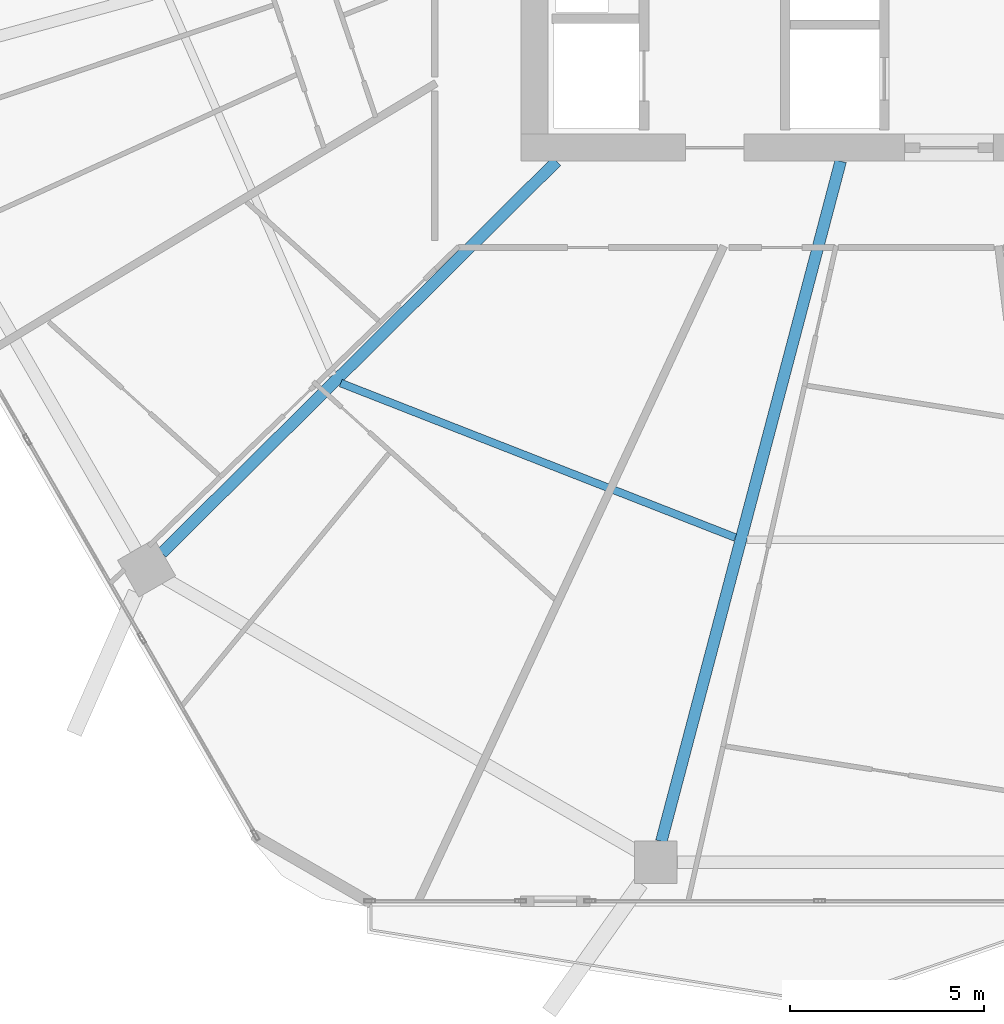
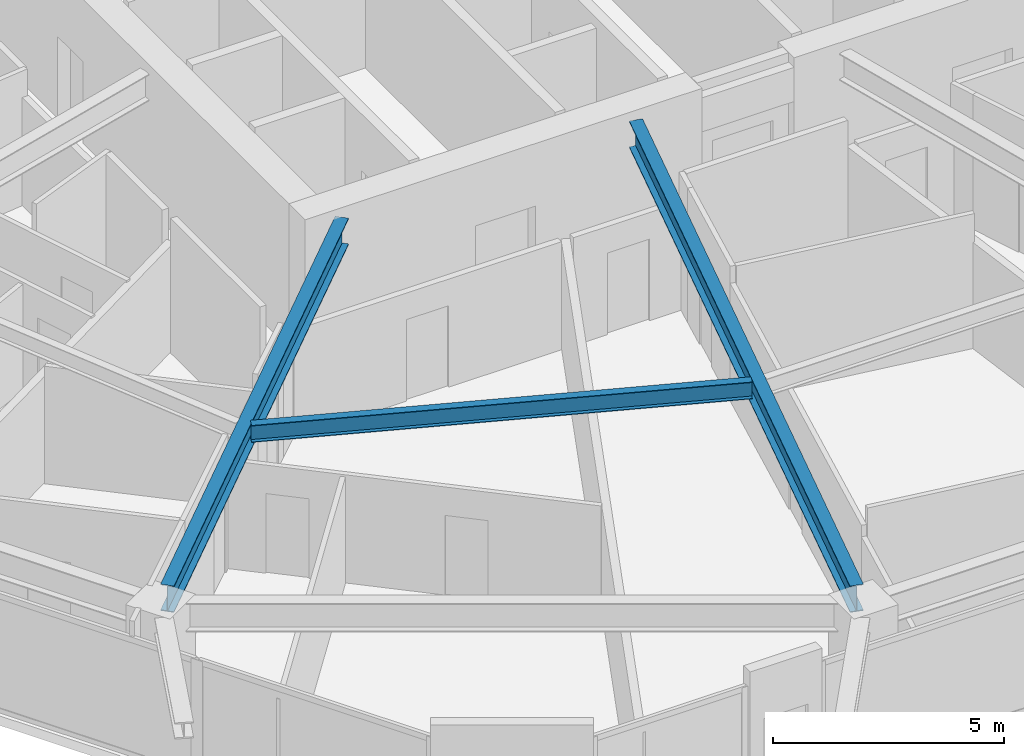
# One storey, part 4 of 33: 3 beams.
"""IFC4 building model written with IfcOpenShell, lengths in metres."""

from ifc_helpers import new_model, si_unit, direction, frame, origin, origin_2d, place, context, subcontext, project, spatial, i_section, extrude, material, material_profile, profile_set, type_object, element, save


model = new_model("IFC4")

# Units and contexts
model_context = context("Model", 3, precision=1e-05, world=origin(), true_north=direction((0.0, 1.0)))
body_context = subcontext(model_context, "Body", "Model", "MODEL_VIEW")
ifc_project = project(units=[si_unit("LENGTHUNIT", "METRE"), si_unit("AREAUNIT", "SQUARE_METRE"), si_unit("VOLUMEUNIT", "CUBIC_METRE"), si_unit("PLANEANGLEUNIT", "RADIAN"), si_unit("MASSUNIT", "GRAM", prefix="KILO")], contexts=[model_context])

# Site, building, storey
site_placement = place(None, origin())
site = spatial("IfcSite", under=ifc_project, at=site_placement, CompositionType="ELEMENT")
building_placement = place(site_placement, origin())
building = spatial("IfcBuilding", under=site, at=building_placement, Name="Zuhravey Tower", CompositionType="ELEMENT")
storey_placement = place(building_placement, frame((0.0, 0.0, 103.800048828125)))
storey = spatial("IfcBuildingStorey", under=building, at=storey_placement, Name="L25", CompositionType="ELEMENT", Elevation=103.800048828125)

# Beams
ifc_material = material(Name="Steel SM355", Category="steel")
ifc_material_profile_1 = material_profile(ifc_material, i_section(OverallWidth=0.300048828125, OverallDepth=0.699951171875, WebThickness=0.012939453125, FlangeThickness=0.02392578125, at=origin_2d()), Name="H-700x300x13x24")
ifc_profile_set_1 = profile_set([ifc_material_profile_1], Name="Steel SM355")
beam_type_1 = type_object("IfcBeamType", Name="Radial Primary Girder H700x300", PredefinedType="BEAM", material=ifc_profile_set_1)
beam_1_placement = place(storey_placement, frame((26.068603515625, 22.14697265625, 3.199951171875), z_axis=(-0.709906230344, -0.704296204816, 0.0), x_axis=(0.704296204816, -0.709906230344, 0.0)))
element("IfcBeam", 1, at=beam_1_placement, inside=storey, type_object=beam_type_1, Name="L25 RG1 BM-L25-RAD-08", PredefinedType="BEAM", context=body_context, shape_type="SweptSolid", body=[
    extrude(i_section(OverallWidth=0.300048828125, OverallDepth=0.699951171875, WebThickness=0.012939453125, FlangeThickness=0.02392578125, at=origin_2d()), origin(), (0.0, 0.0, 1.0), 14.361083984375),
])
beam_2_placement = place(storey_placement, frame((33.40185546875, 22.14697265625, 3.199951171875), z_axis=(-0.25498755891, -0.966944333869, 0.0), x_axis=(0.966944333869, -0.25498755891, 0.0)))
element("IfcBeam", 2, at=beam_2_placement, inside=storey, type_object=beam_type_1, Name="L25 RG1 BM-L25-RAD-09", PredefinedType="BEAM", context=body_context, shape_type="SweptSolid", body=[
    extrude(i_section(OverallWidth=0.300048828125, OverallDepth=0.699951171875, WebThickness=0.012939453125, FlangeThickness=0.02392578125, at=origin_2d()), origin(), (0.0, 0.0, 1.0), 18.1611328125),
])
ifc_material_profile_2 = material_profile(ifc_material, i_section(OverallWidth=0.199951171875, OverallDepth=0.449951171875, WebThickness=0.009033203125, FlangeThickness=0.013916015625, at=origin_2d()), Name="H-450x200x9x14")
ifc_profile_set_2 = profile_set([ifc_material_profile_2], Name="Steel SM355")
beam_type_2 = type_object("IfcBeamType", Name="Secondary Floor Joist H450x200", PredefinedType="JOIST", material=ifc_profile_set_2)
beam_3_placement = place(storey_placement, frame((20.49462890625, 16.418701171875, 3.324951171875), z_axis=(0.931216764731, -0.364465824302, 0.0), x_axis=(0.364465824302, 0.931216764731, 0.0)))
element("IfcBeam", 3, at=beam_3_placement, inside=storey, type_object=beam_type_2, Name="L25 SJ1 BM-L25-SJ-08-1", PredefinedType="JOIST", context=body_context, shape_type="SweptSolid", body=[
    extrude(i_section(OverallWidth=0.199951171875, OverallDepth=0.449951171875, WebThickness=0.009033203125, FlangeThickness=0.013916015625, at=origin_2d()), origin(), (0.0, 0.0, 1.0), 10.939453125),
])

save(model, "model.ifc")
